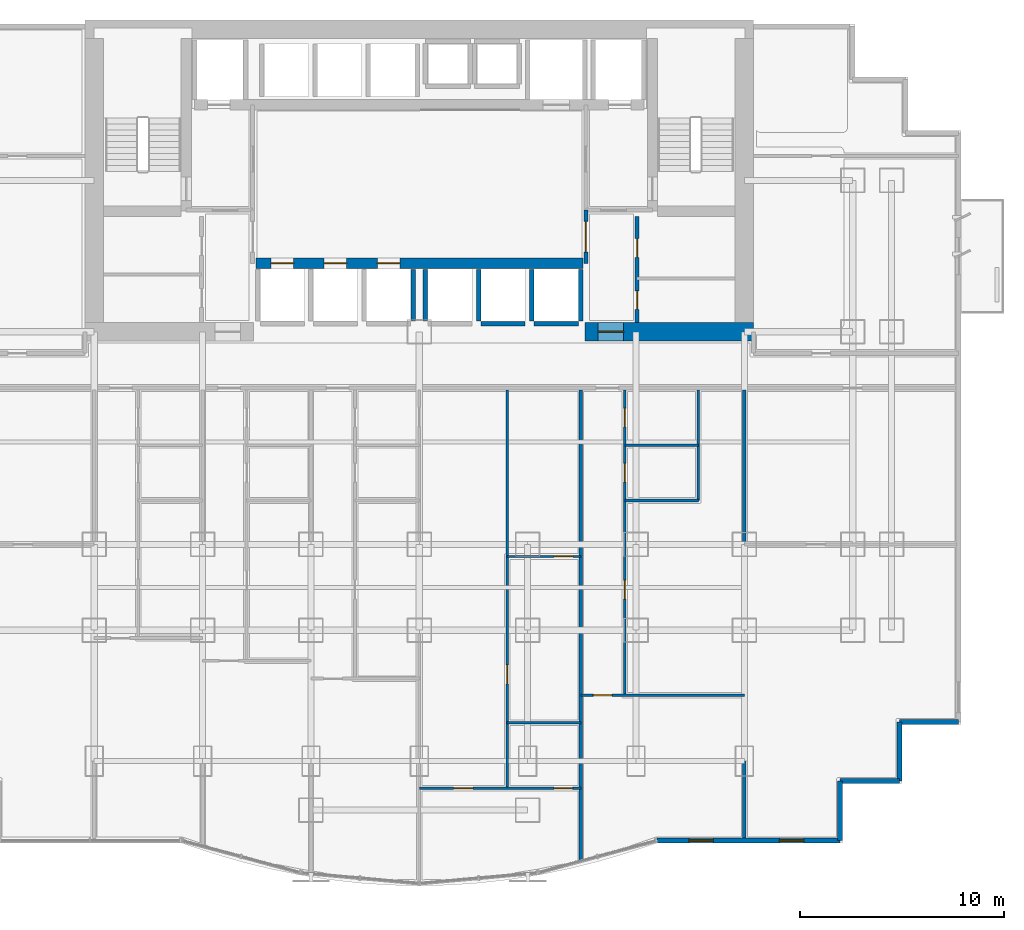
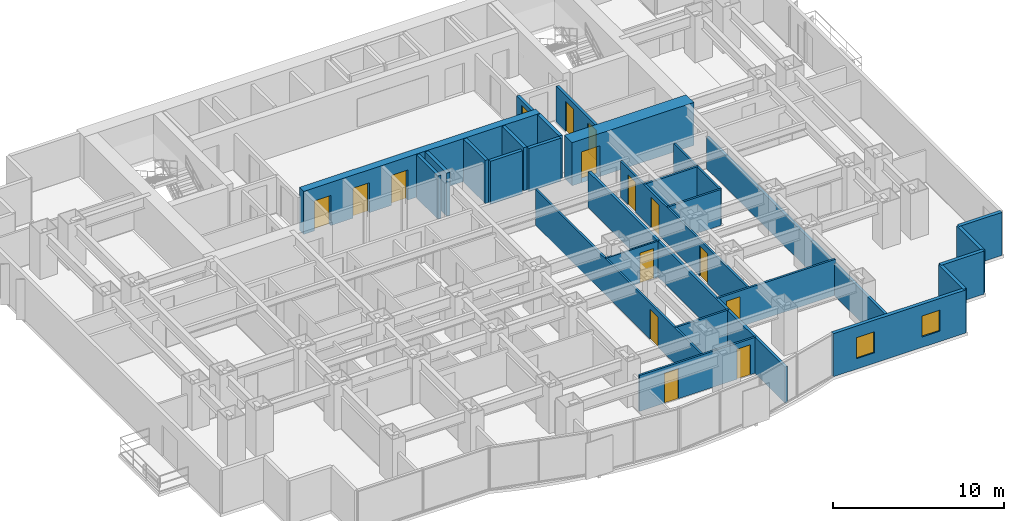
# One storey, part 6 of 10: 27 walls, 15 doors, 2 windows, 17 openings.
"""IFC4 building model written with IfcOpenShell, lengths in metres."""

from ifc_helpers import new_model, si_unit, direction, frame, frame_2d, origin, place, context, subcontext, project, spatial, rectangle, extrude, material, layer, layer_set, type_object, element, fill, save


model = new_model("IFC4")

# Units and contexts
model_context = context("Model", 3, precision=1e-05, world=origin(), true_north=direction((0.0, 1.0)))
body_context = subcontext(model_context, "Body", "Model", "MODEL_VIEW")
ifc_project = project(units=[si_unit("LENGTHUNIT", "METRE"), si_unit("AREAUNIT", "SQUARE_METRE"), si_unit("VOLUMEUNIT", "CUBIC_METRE"), si_unit("PLANEANGLEUNIT", "RADIAN"), si_unit("MASSUNIT", "GRAM", prefix="KILO")], contexts=[model_context])

# Site, building, storey
site_placement = place(None, origin())
site = spatial("IfcSite", under=ifc_project, at=site_placement, CompositionType="ELEMENT")
building_placement = place(site_placement, origin())
building = spatial("IfcBuilding", under=site, at=building_placement, Name="Qianlan Lanfeng Residences", CompositionType="ELEMENT")
storey_placement = place(building_placement, frame((0.0, 0.0, 37.39990234375)))
storey = spatial("IfcBuildingStorey", under=building, at=storey_placement, Name="L09", CompositionType="ELEMENT", Elevation=37.39990234375)

# Wall, openings, doors
ifc_material_1 = material(Name="Concrete C70", Category="concrete")
ifc_layer_1 = layer(ifc_material_1, 0.5)
ifc_layer_set_1 = layer_set([ifc_layer_1], Name="Concrete C70")
wall_type_1 = type_object("IfcWallType", Name="CW-RC-500", PredefinedType="SHEAR", material=ifc_layer_set_1)
wall_1_placement = place(storey_placement, frame((18.5, 28.550048828125, 0.0), z_axis=(0.0, 0.0, 1.0), x_axis=(1.0, 0.0, 0.0)))
wall_1 = element("IfcWall", 1, at=wall_1_placement, inside=storey, type_object=wall_type_1, Name="L09 Core Shear Wall LBS", PredefinedType="SHEAR", context=body_context, shape_type="SweptSolid", body=[
    extrude(rectangle(XDim=16.0, YDim=0.5, at=frame_2d((8.0, 0.0))), origin(), (0.0, 0.0, 1.0), 3.080078125),
])
opening_1_placement = place(wall_1_placement, frame((0.75, 0.0, 0.0)))
opening_1 = element("IfcOpeningElement", 2, at=opening_1_placement, cuts=wall_1, Name="Opening L09-LD-PL-L1", PredefinedType="OPENING", context=body_context, shape_type="SweptSolid", body=[
    extrude(rectangle(XDim=1.10009765625, YDim=2.14990234375, at=frame_2d((0.550048828125, 1.074951171875))), frame((0.0, 0.260009765625, 0.0), z_axis=(0.0, -1.0, 0.0), x_axis=(1.0, 0.0, 0.0)), (0.0, 0.0, 1.0), 0.52001953125),
])
opening_2_placement = place(wall_1_placement, frame((3.35009765625, 0.0, 0.0)))
opening_2 = element("IfcOpeningElement", 3, at=opening_2_placement, cuts=wall_1, Name="Opening L09-LD-PL-L2", PredefinedType="OPENING", context=body_context, shape_type="SweptSolid", body=[
    extrude(rectangle(XDim=1.10009765625, YDim=2.14990234375, at=frame_2d((0.550048828125, 1.074951171875))), frame((0.0, 0.260009765625, 0.0), z_axis=(0.0, -1.0, 0.0), x_axis=(1.0, 0.0, 0.0)), (0.0, 0.0, 1.0), 0.52001953125),
])
opening_3_placement = place(wall_1_placement, frame((5.949951171875, 0.0, 0.0)))
opening_3 = element("IfcOpeningElement", 4, at=opening_3_placement, cuts=wall_1, Name="Opening L09-LD-PL-L3", PredefinedType="OPENING", context=body_context, shape_type="SweptSolid", body=[
    extrude(rectangle(XDim=1.10009765625, YDim=2.14990234375, at=frame_2d((0.550048828125, 1.074951171875))), frame((0.0, 0.260009765625, 0.0), z_axis=(0.0, -1.0, 0.0), x_axis=(1.0, 0.0, 0.0)), (0.0, 0.0, 1.0), 0.52001953125),
])
ifc_material_2 = material(Name="Brushed Stainless Steel Sliding Lift Door", Category="steel")
door_type_1 = type_object("IfcDoorType", Name="LD-01", OperationType="NOTDEFINED", PredefinedType="DOOR", material=ifc_material_2)
door_1_placement = place(opening_1_placement, origin())
door_1 = element("IfcDoor", 5, at=door_1_placement, inside=storey, type_object=door_type_1, Name="L09 Elevator PL-L1 Sliding Landing Door", OperationType="DOUBLE_DOOR_SLIDING", OverallHeight=2.14990234375, OverallWidth=1.10009765625, PredefinedType="DOOR", context=body_context, shape_type="SweptSolid", body=[
    extrude(rectangle(XDim=1.10009765625, YDim=2.14990234375, at=frame_2d((0.550048828125, 1.074951171875))), frame((0.0, 0.02490234375, 0.0), z_axis=(0.0, -1.0, 0.0), x_axis=(1.0, 0.0, 0.0)), (0.0, 0.0, 1.0), 0.050048828125),
])
fill(opening_1, door_1)
door_2_placement = place(opening_2_placement, origin())
door_2 = element("IfcDoor", 6, at=door_2_placement, inside=storey, type_object=door_type_1, Name="L09 Elevator PL-L2 Sliding Landing Door", OperationType="DOUBLE_DOOR_SLIDING", OverallHeight=2.14990234375, OverallWidth=1.10009765625, PredefinedType="DOOR", context=body_context, shape_type="SweptSolid", body=[
    extrude(rectangle(XDim=1.10009765625, YDim=2.14990234375, at=frame_2d((0.550048828125, 1.074951171875))), frame((0.0, 0.02490234375, 0.0), z_axis=(0.0, -1.0, 0.0), x_axis=(1.0, 0.0, 0.0)), (0.0, 0.0, 1.0), 0.050048828125),
])
fill(opening_2, door_2)
door_3_placement = place(opening_3_placement, origin())
door_3 = element("IfcDoor", 7, at=door_3_placement, inside=storey, type_object=door_type_1, Name="L09 Elevator PL-L3 Sliding Landing Door", OperationType="DOUBLE_DOOR_SLIDING", OverallHeight=2.14990234375, OverallWidth=1.10009765625, PredefinedType="DOOR", context=body_context, shape_type="SweptSolid", body=[
    extrude(rectangle(XDim=1.10009765625, YDim=2.14990234375, at=frame_2d((0.550048828125, 1.074951171875))), frame((0.0, 0.02490234375, 0.0), z_axis=(0.0, -1.0, 0.0), x_axis=(1.0, 0.0, 0.0)), (0.0, 0.0, 1.0), 0.050048828125),
])
fill(opening_3, door_3)

# Wall, opening, door
ifc_layer_2 = layer(ifc_material_1, 0.89990234375)
ifc_layer_set_2 = layer_set([ifc_layer_2], Name="Concrete C70")
wall_type_2 = type_object("IfcWallType", Name="CW-RC-900", PredefinedType="SHEAR", material=ifc_layer_set_2)
wall_2_placement = place(storey_placement, frame((34.60009765625, 25.199951171875, 0.0), z_axis=(0.0, 0.0, 1.0), x_axis=(1.0, 0.0, 0.0)))
wall_2 = element("IfcWall", 8, at=wall_2_placement, inside=storey, type_object=wall_type_2, Name="L09 Core Shear Wall SE", PredefinedType="SHEAR", context=body_context, shape_type="SweptSolid", body=[
    extrude(rectangle(XDim=8.25, YDim=0.89990234375, at=frame_2d((4.125, 0.0))), origin(), (0.0, 0.0, 1.0), 3.080078125),
])
opening_4_placement = place(wall_2_placement, frame((0.64990234375, 0.0, 0.0)))
opening_4 = element("IfcOpeningElement", 9, at=opening_4_placement, cuts=wall_2, Name="Opening L09-D02", PredefinedType="OPENING", context=body_context, shape_type="SweptSolid", body=[
    extrude(rectangle(XDim=1.25, YDim=2.199951171875, at=frame_2d((0.625, 1.10009765625))), frame((0.0, 0.4599609375, 0.0), z_axis=(0.0, -1.0, 0.0), x_axis=(1.0, 0.0, 0.0)), (0.0, 0.0, 1.0), 0.919921875),
])
ifc_material_3 = material(Name="Painted Galvanised Steel Fire Door", Category="steel")
door_type_2 = type_object("IfcDoorType", Name="DT-FFL", OperationType="NOTDEFINED", PredefinedType="DOOR", material=ifc_material_3)
door_4_placement = place(opening_4_placement, frame((1.25, 0.0, 0.0), z_axis=(0.0, 0.0, 1.0), x_axis=(-1.0, 0.0, 0.0)))
door_4 = element("IfcDoor", 10, at=door_4_placement, inside=storey, type_object=door_type_2, Name="L09 East Core Lobby Smoke Door L09-D02 (DT-FFL)", OperationType="SINGLE_SWING_LEFT", OverallHeight=2.199951171875, OverallWidth=1.25, PredefinedType="DOOR", context=body_context, shape_type="SweptSolid", body=[
    extrude(rectangle(XDim=1.25, YDim=2.199951171875, at=frame_2d((0.625, 1.10009765625))), frame((0.0, 0.02490234375, 0.0), z_axis=(0.0, -1.0, 0.0), x_axis=(1.0, 0.0, 0.0)), (0.0, 0.0, 1.0), 0.050048828125),
])
fill(opening_4, door_4)

# Wall, openings, windows
ifc_material_4 = material(Name="Concrete C42", Category="concrete")
ifc_layer_3 = layer(ifc_material_4, 0.239990234375)
ifc_layer_set_3 = layer_set([ifc_layer_3], Name="Concrete C42")
wall_type_3 = type_object("IfcWallType", Name="EW-240", PredefinedType="SOLIDWALL", material=ifc_layer_set_3)
wall_3_placement = place(storey_placement, frame((38.1298828125, 0.320068359375, 0.0), z_axis=(0.0, 0.0, 1.0), x_axis=(1.0, 0.0, 0.0)))
wall_3 = element("IfcWall", 11, at=wall_3_placement, inside=storey, type_object=wall_type_3, Name="L09 Exterior Facade Spandrel Wall 5", PredefinedType="SOLIDWALL", context=body_context, shape_type="SweptSolid", body=[
    extrude(rectangle(XDim=8.9501953125, YDim=0.239990234375, at=frame_2d((4.47509765625, 0.0))), origin(), (0.0, 0.0, 1.0), 3.080078125),
])
opening_5_placement = place(wall_3_placement, frame((5.985107421875, 0.0, 0.75)))
opening_5 = element("IfcOpeningElement", 12, at=opening_5_placement, cuts=wall_3, Name="Opening W-03", PredefinedType="OPENING", context=body_context, shape_type="SweptSolid", body=[
    extrude(rectangle(XDim=1.199951171875, YDim=1.5, at=frame_2d((0.60009765625, 0.75))), frame((0.0, 0.1298828125, 0.0), z_axis=(0.0, -1.0, 0.0), x_axis=(1.0, 0.0, 0.0)), (0.0, 0.0, 1.0), 0.260009765625),
])
opening_6_placement = place(wall_3_placement, frame((1.56005859375, 0.0, 0.75)))
opening_6 = element("IfcOpeningElement", 13, at=opening_6_placement, cuts=wall_3, Name="Opening W-03", PredefinedType="OPENING", context=body_context, shape_type="SweptSolid", body=[
    extrude(rectangle(XDim=1.199951171875, YDim=1.5, at=frame_2d((0.60009765625, 0.75))), frame((0.0, 0.1298828125, 0.0), z_axis=(0.0, -1.0, 0.0), x_axis=(1.0, 0.0, 0.0)), (0.0, 0.0, 1.0), 0.260009765625),
])
ifc_material_5 = material(Name="Anodised Bronze Aluminium Framed Double Glazing", Category="aluminium")
window_type = type_object("IfcWindowType", Name="W-03", PartitioningType="SINGLE_PANEL", PredefinedType="WINDOW", material=ifc_material_5)
window_1_placement = place(opening_5_placement, origin())
window_1 = element("IfcWindow", 14, at=window_1_placement, inside=storey, type_object=window_type, Name="L09 Facade Punched Window W-03", OverallHeight=1.5, OverallWidth=1.199951171875, PartitioningType="SINGLE_PANEL", PredefinedType="WINDOW", context=body_context, shape_type="SweptSolid", body=[
    extrude(rectangle(XDim=1.199951171875, YDim=1.5, at=frame_2d((0.60009765625, 0.75))), frame((0.0, 0.030029296875, 0.0), z_axis=(0.0, -1.0, 0.0), x_axis=(1.0, 0.0, 0.0)), (0.0, 0.0, 1.0), 0.06005859375),
])
fill(opening_5, window_1)
window_2_placement = place(opening_6_placement, origin())
window_2 = element("IfcWindow", 15, at=window_2_placement, inside=storey, type_object=window_type, Name="L09 Facade Bay Window W-03", OverallHeight=1.5, OverallWidth=1.199951171875, PartitioningType="SINGLE_PANEL", PredefinedType="WINDOW", context=body_context, shape_type="SweptSolid", body=[
    extrude(rectangle(XDim=1.199951171875, YDim=1.5, at=frame_2d((0.60009765625, 0.75))), frame((0.0, 0.030029296875, 0.0), z_axis=(0.0, -1.0, 0.0), x_axis=(1.0, 0.0, 0.0)), (0.0, 0.0, 1.0), 0.06005859375),
])
fill(opening_6, window_2)

# Walls
for number, where, z_axis, x_axis, name in (
    (16, (47.080078125, 0.320068359375, 0.0), (0.0, 0.0, 1.0), (0.0, 1.0, 0.0), "L09 Exterior Facade Spandrel Wall 6"),
    (17, (47.080078125, 3.219970703125, 0.0), (0.0, 0.0, 1.0), (1.0, 0.0, 0.0), "L09 Exterior Facade Spandrel Wall 7"),
):
    element("IfcWall", number, at=place(storey_placement, frame(where, z_axis=z_axis, x_axis=x_axis)), inside=storey, type_object=wall_type_3, Name=name, PredefinedType="SOLIDWALL", context=body_context, shape_type="SweptSolid", body=[
        extrude(rectangle(XDim=2.89990234375, YDim=0.239990234375, at=frame_2d((1.449951171875, 0.0))), origin(), (0.0, 0.0, 1.0), 3.080078125),
    ])
wall_4_placement = place(storey_placement, frame((49.97998046875, 3.219970703125, 0.0), z_axis=(0.0, 0.0, 1.0), x_axis=(0.0, 1.0, 0.0)))
element("IfcWall", 18, at=wall_4_placement, inside=storey, type_object=wall_type_3, Name="L09 Exterior Facade Spandrel Wall 8", PredefinedType="SOLIDWALL", context=body_context, shape_type="SweptSolid", body=[
    extrude(rectangle(XDim=2.900146484375, YDim=0.239990234375, at=frame_2d((1.4501953125, 0.0))), origin(), (0.0, 0.0, 1.0), 3.080078125),
])
wall_5_placement = place(storey_placement, frame((49.97998046875, 6.1201171875, 0.0), z_axis=(0.0, 0.0, 1.0), x_axis=(1.0, 0.0, 0.0)))
element("IfcWall", 19, at=wall_5_placement, inside=storey, type_object=wall_type_3, Name="L09 Exterior Facade Spandrel Wall 9", PredefinedType="SOLIDWALL", context=body_context, shape_type="SweptSolid", body=[
    extrude(rectangle(XDim=2.89990234375, YDim=0.239990234375, at=frame_2d((1.449951171875, 0.0))), origin(), (0.0, 0.0, 1.0), 3.080078125),
])

# Wall, opening, door
ifc_material_6 = material(Name="Demountable Acoustic Framing Partition 110 mm")
ifc_layer_4 = layer(ifc_material_6, 0.110107421875)
ifc_layer_set_4 = layer_set([ifc_layer_4], Name="Demountable Acoustic Framing Partition 110 mm")
wall_type_4 = type_object("IfcWallType", Name="PW-110", PredefinedType="MOVABLE", material=ifc_layer_set_4)
wall_6_placement = place(storey_placement, frame((30.800048828125, 14.2119140625, 0.0), z_axis=(0.0, 0.0, 1.0), x_axis=(1.0, 0.0, 0.0)))
wall_6 = element("IfcWall", 20, at=wall_6_placement, inside=storey, type_object=wall_type_4, Name="L09 U03 Wardrobe Split", PredefinedType="MOVABLE", context=body_context, shape_type="SweptSolid", body=[
    extrude(rectangle(XDim=3.599853515625, YDim=0.110107421875, at=frame_2d((1.7998046875, 0.0))), origin(), (0.0, 0.0, 1.0), 2.570068359375),
])
opening_7_placement = place(wall_6_placement, frame((2.2900390625, 0.0, 0.0)))
opening_7 = element("IfcOpeningElement", 21, at=opening_7_placement, cuts=wall_6, Name="Opening L09-D34", PredefinedType="OPENING", context=body_context, shape_type="SweptSolid", body=[
    extrude(rectangle(XDim=0.919921875, YDim=2.14990234375, at=frame_2d((0.4599609375, 1.074951171875))), frame((0.0, 0.06494140625, 0.0), z_axis=(0.0, -1.0, 0.0), x_axis=(1.0, 0.0, 0.0)), (0.0, 0.0, 1.0), 0.130126953125),
])
ifc_material_7 = material(Name="Glazed Timber Kitchen/Study Door", Category="wood")
door_type_3 = type_object("IfcDoorType", Name="DT-INT", OperationType="NOTDEFINED", PredefinedType="DOOR", material=ifc_material_7)
door_5_placement = place(opening_7_placement, origin())
door_5 = element("IfcDoor", 22, at=door_5_placement, inside=storey, type_object=door_type_3, Name="L09 U03 Dressing Inner Door L09-D34 (DT-INT)", OperationType="SINGLE_SWING_RIGHT", OverallHeight=2.14990234375, OverallWidth=0.919921875, PredefinedType="DOOR", context=body_context, shape_type="SweptSolid", body=[
    extrude(rectangle(XDim=0.919921875, YDim=2.14990234375, at=frame_2d((0.4599609375, 1.074951171875))), frame((0.0, 0.02490234375, 0.0), z_axis=(0.0, -1.0, 0.0), x_axis=(1.0, 0.0, 0.0)), (0.0, 0.0, 1.0), 0.050048828125),
])
fill(opening_7, door_5)

# Wall, openings, doors
ifc_material_8 = material(Name="Moisture-Resistant Gypsum Partition 135 mm")
ifc_layer_5 = layer(ifc_material_8, 0.135009765625)
ifc_layer_set_5 = layer_set([ifc_layer_5], Name="Moisture-Resistant Gypsum Partition 135 mm")
wall_type_5 = type_object("IfcWallType", Name="PW-135", PredefinedType="PARTITIONING", material=ifc_layer_set_5)
wall_7_placement = place(storey_placement, frame((26.5, 2.873046875, 0.0), z_axis=(0.0, 0.0, 1.0), x_axis=(1.0, 0.0, 0.0)))
wall_7 = element("IfcWall", 23, at=wall_7_placement, inside=storey, type_object=wall_type_5, Name="L09 U03 Master Bedroom North Wall", PredefinedType="PARTITIONING", context=body_context, shape_type="SweptSolid", body=[
    extrude(rectangle(XDim=7.89990234375, YDim=0.135009765625, at=frame_2d((3.949951171875, 0.0))), origin(), (0.0, 0.0, 1.0), 2.570068359375),
])
opening_8_placement = place(wall_7_placement, frame((1.675048828125, 0.0, 0.0)))
opening_8 = element("IfcOpeningElement", 24, at=opening_8_placement, cuts=wall_7, Name="Opening L09-D31", PredefinedType="OPENING", context=body_context, shape_type="SweptSolid", body=[
    extrude(rectangle(XDim=0.949951171875, YDim=2.14990234375, at=frame_2d((0.47509765625, 1.074951171875))), frame((0.0, 0.07763671875, 0.0), z_axis=(0.0, -1.0, 0.0), x_axis=(1.0, 0.0, 0.0)), (0.0, 0.0, 1.0), 0.155029296875),
])
opening_9_placement = place(wall_7_placement, frame((6.60009765625, 0.0, 0.0)))
opening_9 = element("IfcOpeningElement", 25, at=opening_9_placement, cuts=wall_7, Name="Opening L09-D32", PredefinedType="OPENING", context=body_context, shape_type="SweptSolid", body=[
    extrude(rectangle(XDim=0.89990234375, YDim=2.14990234375, at=frame_2d((0.449951171875, 1.074951171875))), frame((0.0, 0.07763671875, 0.0), z_axis=(0.0, -1.0, 0.0), x_axis=(1.0, 0.0, 0.0)), (0.0, 0.0, 1.0), 0.155029296875),
])
ifc_material_9 = material(Name="Painted Solid-Core Timber Leaf", Category="wood")
door_type_4 = type_object("IfcDoorType", Name="DT-BED", OperationType="NOTDEFINED", PredefinedType="DOOR", material=ifc_material_9)
door_6_placement = place(opening_8_placement, origin())
door_6 = element("IfcDoor", 26, at=door_6_placement, inside=storey, type_object=door_type_4, Name="L09 U03 Master Bedroom Door L09-D31 (DT-BED)", OperationType="SINGLE_SWING_LEFT", OverallHeight=2.14990234375, OverallWidth=0.949951171875, PredefinedType="DOOR", context=body_context, shape_type="SweptSolid", body=[
    extrude(rectangle(XDim=0.949951171875, YDim=2.14990234375, at=frame_2d((0.47509765625, 1.074951171875))), frame((0.0, 0.02490234375, 0.0), z_axis=(0.0, -1.0, 0.0), x_axis=(1.0, 0.0, 0.0)), (0.0, 0.0, 1.0), 0.050048828125),
])
fill(opening_8, door_6)
ifc_material_10 = material(Name="Moisture-Resistant Timber Leaf", Category="wood")
door_type_5 = type_object("IfcDoorType", Name="DT-WC", OperationType="NOTDEFINED", PredefinedType="DOOR", material=ifc_material_10)
door_7_placement = place(opening_9_placement, origin())
door_7 = element("IfcDoor", 27, at=door_7_placement, inside=storey, type_object=door_type_5, Name="L09 U03 En-Suite Bathroom Door L09-D32 (DT-WC)", OperationType="SINGLE_SWING_RIGHT", OverallHeight=2.14990234375, OverallWidth=0.89990234375, PredefinedType="DOOR", context=body_context, shape_type="SweptSolid", body=[
    extrude(rectangle(XDim=0.89990234375, YDim=2.14990234375, at=frame_2d((0.449951171875, 1.074951171875))), frame((0.0, 0.02490234375, 0.0), z_axis=(0.0, -1.0, 0.0), x_axis=(1.0, 0.0, 0.0)), (0.0, 0.0, 1.0), 0.050048828125),
])
fill(opening_9, door_7)

# Wall, opening, door
wall_8_placement = place(storey_placement, frame((30.800048828125, 2.873046875, 0.0), z_axis=(0.0, 0.0, 1.0), x_axis=(0.0, 1.0, 0.0)))
wall_8 = element("IfcWall", 28, at=wall_8_placement, inside=storey, type_object=wall_type_5, Name="L09 U03 Master Passage Wall", PredefinedType="PARTITIONING", context=body_context, shape_type="SweptSolid", body=[
    extrude(rectangle(XDim=19.47705078125, YDim=0.135009765625, at=frame_2d((9.738525390625, 0.0))), origin(), (0.0, 0.0, 1.0), 2.570068359375),
])
opening_10_placement = place(wall_8_placement, frame((5.10888671875, 0.0, 0.0)))
opening_10 = element("IfcOpeningElement", 29, at=opening_10_placement, cuts=wall_8, Name="Opening L09-D33", PredefinedType="OPENING", context=body_context, shape_type="SweptSolid", body=[
    extrude(rectangle(XDim=0.919921875, YDim=2.14990234375, at=frame_2d((0.4599609375, 1.074951171875))), frame((0.0, 0.07763671875, 0.0), z_axis=(0.0, -1.0, 0.0), x_axis=(1.0, 0.0, 0.0)), (0.0, 0.0, 1.0), 0.155029296875),
])
door_8_placement = place(opening_10_placement, origin())
door_8 = element("IfcDoor", 30, at=door_8_placement, inside=storey, type_object=door_type_3, Name="L09 U03 Wardrobe Door L09-D33 (DT-INT)", OperationType="SINGLE_SWING_LEFT", OverallHeight=2.14990234375, OverallWidth=0.919921875, PredefinedType="DOOR", context=body_context, shape_type="SweptSolid", body=[
    extrude(rectangle(XDim=0.919921875, YDim=2.14990234375, at=frame_2d((0.4599609375, 1.074951171875))), frame((0.0, 0.02490234375, 0.0), z_axis=(0.0, -1.0, 0.0), x_axis=(1.0, 0.0, 0.0)), (0.0, 0.0, 1.0), 0.050048828125),
])
fill(opening_10, door_8)

# Wall
wall_9_placement = place(storey_placement, frame((30.800048828125, 6.072998046875, 0.0), z_axis=(0.0, 0.0, 1.0), x_axis=(1.0, 0.0, 0.0)))
element("IfcWall", 31, at=wall_9_placement, inside=storey, type_object=wall_type_5, Name="L09 U03 En-Suite North Wall", PredefinedType="PARTITIONING", context=body_context, shape_type="SweptSolid", body=[
    extrude(rectangle(XDim=3.599853515625, YDim=0.135009765625, at=frame_2d((1.7998046875, 0.0))), origin(), (0.0, 0.0, 1.0), 2.570068359375),
])

# Wall, opening, door
wall_10_placement = place(storey_placement, frame((34.39990234375, 7.419921875, 0.0), z_axis=(0.0, 0.0, 1.0), x_axis=(1.0, 0.0, 0.0)))
wall_10 = element("IfcWall", 32, at=wall_10_placement, inside=storey, type_object=wall_type_5, Name="L09 U04 Living Divider", PredefinedType="PARTITIONING", context=body_context, shape_type="SweptSolid", body=[
    extrude(rectangle(XDim=8.0, YDim=0.135009765625, at=frame_2d((4.0, 0.0))), origin(), (0.0, 0.0, 1.0), 2.570068359375),
])
opening_11_placement = place(wall_10_placement, frame((0.614990234375, 0.0, 0.0)))
opening_11 = element("IfcOpeningElement", 33, at=opening_11_placement, cuts=wall_10, Name="Opening L09-D36", PredefinedType="OPENING", context=body_context, shape_type="SweptSolid", body=[
    extrude(rectangle(XDim=0.919921875, YDim=2.14990234375, at=frame_2d((0.4599609375, 1.074951171875))), frame((0.0, 0.07763671875, 0.0), z_axis=(0.0, -1.0, 0.0), x_axis=(1.0, 0.0, 0.0)), (0.0, 0.0, 1.0), 0.155029296875),
])
door_9_placement = place(opening_11_placement, frame((0.919921875, 0.0, 0.0), z_axis=(0.0, 0.0, 1.0), x_axis=(-1.0, 0.0, 0.0)))
door_9 = element("IfcDoor", 34, at=door_9_placement, inside=storey, type_object=door_type_3, Name="L09 U04 Living Passage Door L09-D36 (DT-INT)", OperationType="SINGLE_SWING_RIGHT", OverallHeight=2.14990234375, OverallWidth=0.919921875, PredefinedType="DOOR", context=body_context, shape_type="SweptSolid", body=[
    extrude(rectangle(XDim=0.919921875, YDim=2.14990234375, at=frame_2d((0.4599609375, 1.074951171875))), frame((0.0, 0.02490234375, 0.0), z_axis=(0.0, -1.0, 0.0), x_axis=(1.0, 0.0, 0.0)), (0.0, 0.0, 1.0), 0.050048828125),
])
fill(opening_11, door_9)

# Wall, openings, doors
wall_11_placement = place(storey_placement, frame((36.550048828125, 7.419921875, 0.0), z_axis=(0.0, 0.0, 1.0), x_axis=(0.0, 1.0, 0.0)))
wall_11 = element("IfcWall", 35, at=wall_11_placement, inside=storey, type_object=wall_type_5, Name="L09 U04 Entry Hall Spine", PredefinedType="PARTITIONING", context=body_context, shape_type="SweptSolid", body=[
    extrude(rectangle(XDim=14.93017578125, YDim=0.135009765625, at=frame_2d((7.465087890625, 0.0))), origin(), (0.0, 0.0, 1.0), 2.570068359375),
])
opening_12_placement = place(wall_11_placement, frame((4.705078125, 0.0, 0.0)))
opening_12 = element("IfcOpeningElement", 36, at=opening_12_placement, cuts=wall_11, Name="Opening L09-D37", PredefinedType="OPENING", context=body_context, shape_type="SweptSolid", body=[
    extrude(rectangle(XDim=0.919921875, YDim=2.14990234375, at=frame_2d((0.4599609375, 1.074951171875))), frame((0.0, 0.07763671875, 0.0), z_axis=(0.0, -1.0, 0.0), x_axis=(1.0, 0.0, 0.0)), (0.0, 0.0, 1.0), 0.155029296875),
])
opening_13_placement = place(wall_11_placement, frame((10.419921875, 0.0, 0.0)))
opening_13 = element("IfcOpeningElement", 37, at=opening_13_placement, cuts=wall_11, Name="Opening L09-D38", PredefinedType="OPENING", context=body_context, shape_type="SweptSolid", body=[
    extrude(rectangle(XDim=0.919921875, YDim=2.14990234375, at=frame_2d((0.4599609375, 1.074951171875))), frame((0.0, 0.07763671875, 0.0), z_axis=(0.0, -1.0, 0.0), x_axis=(1.0, 0.0, 0.0)), (0.0, 0.0, 1.0), 0.155029296875),
])
opening_14_placement = place(wall_11_placement, frame((13.1298828125, 0.0, 0.0)))
opening_14 = element("IfcOpeningElement", 38, at=opening_14_placement, cuts=wall_11, Name="Opening L09-D39", PredefinedType="OPENING", context=body_context, shape_type="SweptSolid", body=[
    extrude(rectangle(XDim=0.89990234375, YDim=2.14990234375, at=frame_2d((0.449951171875, 1.074951171875))), frame((0.0, 0.07763671875, 0.0), z_axis=(0.0, -1.0, 0.0), x_axis=(1.0, 0.0, 0.0)), (0.0, 0.0, 1.0), 0.155029296875),
])
door_10_placement = place(opening_12_placement, origin())
door_10 = element("IfcDoor", 39, at=door_10_placement, inside=storey, type_object=door_type_3, Name="L09 U04 Study Door L09-D37 (DT-INT)", OperationType="SINGLE_SWING_LEFT", OverallHeight=2.14990234375, OverallWidth=0.919921875, PredefinedType="DOOR", context=body_context, shape_type="SweptSolid", body=[
    extrude(rectangle(XDim=0.919921875, YDim=2.14990234375, at=frame_2d((0.4599609375, 1.074951171875))), frame((0.0, 0.02490234375, 0.0), z_axis=(0.0, -1.0, 0.0), x_axis=(1.0, 0.0, 0.0)), (0.0, 0.0, 1.0), 0.050048828125),
])
fill(opening_12, door_10)
door_11_placement = place(opening_13_placement, origin())
door_11 = element("IfcDoor", 40, at=door_11_placement, inside=storey, type_object=door_type_3, Name="L09 U04 Kitchen Door L09-D38 (DT-INT)", OperationType="SINGLE_SWING_RIGHT", OverallHeight=2.14990234375, OverallWidth=0.919921875, PredefinedType="DOOR", context=body_context, shape_type="SweptSolid", body=[
    extrude(rectangle(XDim=0.919921875, YDim=2.14990234375, at=frame_2d((0.4599609375, 1.074951171875))), frame((0.0, 0.02490234375, 0.0), z_axis=(0.0, -1.0, 0.0), x_axis=(1.0, 0.0, 0.0)), (0.0, 0.0, 1.0), 0.050048828125),
])
fill(opening_13, door_11)
door_12_placement = place(opening_14_placement, origin())
door_12 = element("IfcDoor", 41, at=door_12_placement, inside=storey, type_object=door_type_5, Name="L09 U04 Bathroom Door L09-D39 (DT-WC)", OperationType="SINGLE_SWING_LEFT", OverallHeight=2.14990234375, OverallWidth=0.89990234375, PredefinedType="DOOR", context=body_context, shape_type="SweptSolid", body=[
    extrude(rectangle(XDim=0.89990234375, YDim=2.14990234375, at=frame_2d((0.449951171875, 1.074951171875))), frame((0.0, 0.02490234375, 0.0), z_axis=(0.0, -1.0, 0.0), x_axis=(1.0, 0.0, 0.0)), (0.0, 0.0, 1.0), 0.050048828125),
])
fill(opening_14, door_12)

# Walls
wall_12_placement = place(storey_placement, frame((36.550048828125, 16.949951171875, 0.0), z_axis=(0.0, 0.0, 1.0), x_axis=(1.0, 0.0, 0.0)))
element("IfcWall", 42, at=wall_12_placement, inside=storey, type_object=wall_type_5, Name="L09 U04 Kitchen South Wall", PredefinedType="PARTITIONING", context=body_context, shape_type="SweptSolid", body=[
    extrude(rectangle(XDim=3.599853515625, YDim=0.135009765625, at=frame_2d((1.7998046875, 0.0))), origin(), (0.0, 0.0, 1.0), 2.570068359375),
])
wall_13_placement = place(storey_placement, frame((40.14990234375, 16.949951171875, 0.0), z_axis=(0.0, 0.0, 1.0), x_axis=(0.0, 1.0, 0.0)))
element("IfcWall", 43, at=wall_13_placement, inside=storey, type_object=wall_type_5, Name="L09 U04 Dining East Wall", PredefinedType="PARTITIONING", context=body_context, shape_type="SweptSolid", body=[
    extrude(rectangle(XDim=5.400146484375, YDim=0.135009765625, at=frame_2d((2.7001953125, 0.0))), origin(), (0.0, 0.0, 1.0), 2.570068359375),
])
wall_14_placement = place(storey_placement, frame((36.550048828125, 19.64990234375, 0.0), z_axis=(0.0, 0.0, 1.0), x_axis=(1.0, 0.0, 0.0)))
element("IfcWall", 44, at=wall_14_placement, inside=storey, type_object=wall_type_5, Name="L09 U04 Bathroom South Wall", PredefinedType="PARTITIONING", context=body_context, shape_type="SweptSolid", body=[
    extrude(rectangle(XDim=3.599853515625, YDim=0.135009765625, at=frame_2d((1.7998046875, 0.0))), origin(), (0.0, 0.0, 1.0), 2.570068359375),
])

# Wall, openings, doors
ifc_material_11 = material(Name="Double-Layer Acoustic Gypsum Stud Wall 180 mm")
ifc_layer_6 = layer(ifc_material_11, 0.179931640625)
ifc_layer_set_6 = layer_set([ifc_layer_6], Name="Double-Layer Acoustic Gypsum Stud Wall 180 mm")
wall_type_6 = type_object("IfcWallType", Name="PW-180", PredefinedType="PARTITIONING", material=ifc_layer_set_6)
wall_15_placement = place(storey_placement, frame((37.14990234375, 25.64990234375, 0.0), z_axis=(0.0, 0.0, 1.0), x_axis=(0.0, 1.0, 0.0)))
wall_15 = element("IfcWall", 45, at=wall_15_placement, inside=storey, type_object=wall_type_6, Name="L09 Core East Service Room Wall", PredefinedType="PARTITIONING", context=body_context, shape_type="SweptSolid", body=[
    extrude(rectangle(XDim=5.2001953125, YDim=0.179931640625, at=frame_2d((2.60009765625, 0.0))), origin(), (0.0, 0.0, 1.0), 2.570068359375),
])
opening_15_placement = place(wall_15_placement, frame((0.64990234375, 0.0, 0.0)))
opening_15 = element("IfcOpeningElement", 46, at=opening_15_placement, cuts=wall_15, Name="Opening L09-D11", PredefinedType="OPENING", context=body_context, shape_type="SweptSolid", body=[
    extrude(rectangle(XDim=0.89990234375, YDim=2.14990234375, at=frame_2d((0.449951171875, 1.074951171875))), frame((0.0, 0.10009765625, 0.0), z_axis=(0.0, -1.0, 0.0), x_axis=(1.0, 0.0, 0.0)), (0.0, 0.0, 1.0), 0.199951171875),
])
opening_16_placement = place(wall_15_placement, frame((3.18994140625, 0.0, 0.0)))
opening_16 = element("IfcOpeningElement", 47, at=opening_16_placement, cuts=wall_15, Name="Opening L09-D12", PredefinedType="OPENING", context=body_context, shape_type="SweptSolid", body=[
    extrude(rectangle(XDim=0.919921875, YDim=2.14990234375, at=frame_2d((0.4599609375, 1.074951171875))), frame((0.0, 0.10009765625, 0.0), z_axis=(0.0, -1.0, 0.0), x_axis=(1.0, 0.0, 0.0)), (0.0, 0.0, 1.0), 0.199951171875),
])
door_13_placement = place(opening_16_placement, origin())
door_13 = element("IfcDoor", 48, at=door_13_placement, inside=storey, type_object=door_type_3, Name="L09 Refuse Room Door L09-D12 (DT-INT)", OperationType="SINGLE_SWING_RIGHT", OverallHeight=2.14990234375, OverallWidth=0.919921875, PredefinedType="DOOR", context=body_context, shape_type="SweptSolid", body=[
    extrude(rectangle(XDim=0.919921875, YDim=2.14990234375, at=frame_2d((0.4599609375, 1.074951171875))), frame((0.0, 0.02490234375, 0.0), z_axis=(0.0, -1.0, 0.0), x_axis=(1.0, 0.0, 0.0)), (0.0, 0.0, 1.0), 0.050048828125),
])
fill(opening_16, door_13)
door_14_placement = place(opening_15_placement, origin())
door_14 = element("IfcDoor", 49, at=door_14_placement, inside=storey, type_object=door_type_5, Name="L09 Core WC Door L09-D11 (DT-WC)", OperationType="SINGLE_SWING_LEFT", OverallHeight=2.14990234375, OverallWidth=0.89990234375, PredefinedType="DOOR", context=body_context, shape_type="SweptSolid", body=[
    extrude(rectangle(XDim=0.89990234375, YDim=2.14990234375, at=frame_2d((0.449951171875, 1.074951171875))), frame((0.0, 0.02490234375, 0.0), z_axis=(0.0, -1.0, 0.0), x_axis=(1.0, 0.0, 0.0)), (0.0, 0.0, 1.0), 0.050048828125),
])
fill(opening_15, door_14)

# Walls
wall_16_placement = place(storey_placement, frame((42.39990234375, 0.419921875, 0.0), z_axis=(0.0, 0.0, 1.0), x_axis=(0.0, 1.0, 0.0)))
element("IfcWall", 50, at=wall_16_placement, inside=storey, type_object=wall_type_6, Name="L09 Wing Boundary Party Wall E0", PredefinedType="PARTITIONING", context=body_context, shape_type="SweptSolid", body=[
    extrude(rectangle(XDim=21.93017578125, YDim=0.179931640625, at=frame_2d((10.965087890625, 0.0))), origin(), (0.0, 0.0, 1.0), 2.275146484375),
])
wall_17_placement = place(storey_placement, frame((34.39990234375, -0.699951171875, 0.0), z_axis=(0.0, 0.0, 1.0), x_axis=(0.0, 1.0, 0.0)))
element("IfcWall", 51, at=wall_17_placement, inside=storey, type_object=wall_type_6, Name="L09 Inter-Tenancy Party Wall 4", PredefinedType="PARTITIONING", context=body_context, shape_type="SweptSolid", body=[
    extrude(rectangle(XDim=23.050048828125, YDim=0.179931640625, at=frame_2d((11.52490234375, 0.0))), origin(), (0.0, 0.0, 1.0), 2.570068359375),
])

# Wall, opening, door
ifc_material_12 = material(Name="Autoclaved Aerated Concrete Blockwork 200 mm", Category="masonry")
ifc_layer_7 = layer(ifc_material_12, 0.199951171875)
ifc_layer_set_7 = layer_set([ifc_layer_7], Name="Autoclaved Aerated Concrete Blockwork 200 mm")
wall_type_7 = type_object("IfcWallType", Name="PW-200", PredefinedType="PARTITIONING", material=ifc_layer_set_7)
wall_18_placement = place(storey_placement, frame((34.64990234375, 28.550048828125, 0.0), z_axis=(0.0, 0.0, 1.0), x_axis=(0.0, 1.0, 0.0)))
wall_18 = element("IfcWall", 52, at=wall_18_placement, inside=storey, type_object=wall_type_7, Name="L09 Lift Lobby East Connector Wall", PredefinedType="PARTITIONING", context=body_context, shape_type="SweptSolid", body=[
    extrude(rectangle(XDim=2.599853515625, YDim=0.199951171875, at=frame_2d((1.2998046875, 0.0))), origin(), (0.0, 0.0, 1.0), 2.570068359375),
])
opening_17_placement = place(wall_18_placement, frame((0.550048828125, 0.0, 0.0)))
opening_17 = element("IfcOpeningElement", 53, at=opening_17_placement, cuts=wall_18, Name="Opening L09-D14", PredefinedType="OPENING", context=body_context, shape_type="SweptSolid", body=[
    extrude(rectangle(XDim=1.5, YDim=2.25, at=frame_2d((0.75, 1.125))), frame((0.0, 0.10986328125, 0.0), z_axis=(0.0, -1.0, 0.0), x_axis=(1.0, 0.0, 0.0)), (0.0, 0.0, 1.0), 0.219970703125),
])
ifc_material_13 = material(Name="Timber Veneer Acoustic Fire Door", Category="wood")
door_type_6 = type_object("IfcDoorType", Name="DT-COR1", OperationType="NOTDEFINED", PredefinedType="DOOR", material=ifc_material_13)
door_15_placement = place(opening_17_placement, frame((1.5, 0.0, 0.0), z_axis=(0.0, 0.0, 1.0), x_axis=(-1.0, 0.0, 0.0)))
door_15 = element("IfcDoor", 54, at=door_15_placement, inside=storey, type_object=door_type_6, Name="L09 Lift Lobby East Portal Door L09-D14 (DT-COR1)", OperationType="DOUBLE_DOOR_SINGLE_SWING", OverallHeight=2.25, OverallWidth=1.5, PredefinedType="DOOR", context=body_context, shape_type="SweptSolid", body=[
    extrude(rectangle(XDim=1.5, YDim=2.25, at=frame_2d((0.75, 1.125))), frame((0.0, 0.02490234375, 0.0), z_axis=(0.0, -1.0, 0.0), x_axis=(1.0, 0.0, 0.0)), (0.0, 0.0, 1.0), 0.050048828125),
])
fill(opening_17, door_15)

# Walls
ifc_material_14 = material(Name="Concrete C49", Category="concrete")
ifc_layer_8 = layer(ifc_material_14, 0.219970703125)
ifc_layer_set_8 = layer_set([ifc_layer_8], Name="Concrete C49")
wall_type_8 = type_object("IfcWallType", Name="SHW-220", PredefinedType="SOLIDWALL", material=ifc_layer_set_8)
for number, where, z_axis, x_axis, name in (
    (55, (26.199951171875, 25.719970703125, 0.0), (0.0, 0.0, 1.0), (0.0, 1.0, 0.0), "L09 Lift PL-L3 Shaft Wall E"),
    (56, (26.800048828125, 25.719970703125, 0.0), (0.0, 0.0, 1.0), (0.0, 1.0, 0.0), "L09 Lift PL-M1 Shaft Wall W"),
    (57, (29.39990234375, 25.719970703125, 0.0), (0.0, 0.0, 1.0), (0.0, 1.0, 0.0), "L09 Lift PL-M2 Shaft Wall W"),
):
    element("IfcWall", number, at=place(storey_placement, frame(where, z_axis=z_axis, x_axis=x_axis)), inside=storey, type_object=wall_type_8, Name=name, PredefinedType="SOLIDWALL", context=body_context, shape_type="SweptSolid", body=[
        extrude(rectangle(XDim=2.530029296875, YDim=0.219970703125, at=frame_2d((1.26513671875, 0.0))), origin(), (0.0, 0.0, 1.0), 3.080078125),
    ])
wall_19_placement = place(storey_placement, frame((29.52001953125, 25.60009765625, 0.0), z_axis=(0.0, 0.0, 1.0), x_axis=(1.0, 0.0, 0.0)))
element("IfcWall", 58, at=wall_19_placement, inside=storey, type_object=wall_type_8, Name="L09 Lift PL-M2 Shaft Back Wall S", PredefinedType="SOLIDWALL", context=body_context, shape_type="SweptSolid", body=[
    extrude(rectangle(XDim=2.159912109375, YDim=0.219970703125, at=frame_2d((1.080078125, 0.0))), origin(), (0.0, 0.0, 1.0), 3.080078125),
])
for number, where, z_axis, x_axis, name in (
    (59, (32.0, 25.719970703125, 0.0), (0.0, 0.0, 1.0), (0.0, 1.0, 0.0), "L09 Lift PL-M3 Shaft Wall W"),
    (60, (34.39990234375, 25.719970703125, 0.0), (0.0, 0.0, 1.0), (0.0, 1.0, 0.0), "L09 Lift PL-M3 Shaft Wall E"),
):
    element("IfcWall", number, at=place(storey_placement, frame(where, z_axis=z_axis, x_axis=x_axis)), inside=storey, type_object=wall_type_8, Name=name, PredefinedType="SOLIDWALL", context=body_context, shape_type="SweptSolid", body=[
        extrude(rectangle(XDim=2.530029296875, YDim=0.219970703125, at=frame_2d((1.26513671875, 0.0))), origin(), (0.0, 0.0, 1.0), 3.080078125),
    ])
wall_20_placement = place(storey_placement, frame((32.1201171875, 25.60009765625, 0.0), z_axis=(0.0, 0.0, 1.0), x_axis=(1.0, 0.0, 0.0)))
element("IfcWall", 61, at=wall_20_placement, inside=storey, type_object=wall_type_8, Name="L09 Lift PL-M3 Shaft Back Wall S", PredefinedType="SOLIDWALL", context=body_context, shape_type="SweptSolid", body=[
    extrude(rectangle(XDim=2.159912109375, YDim=0.219970703125, at=frame_2d((1.080078125, 0.0))), origin(), (0.0, 0.0, 1.0), 3.080078125),
])

save(model, "model.ifc")
